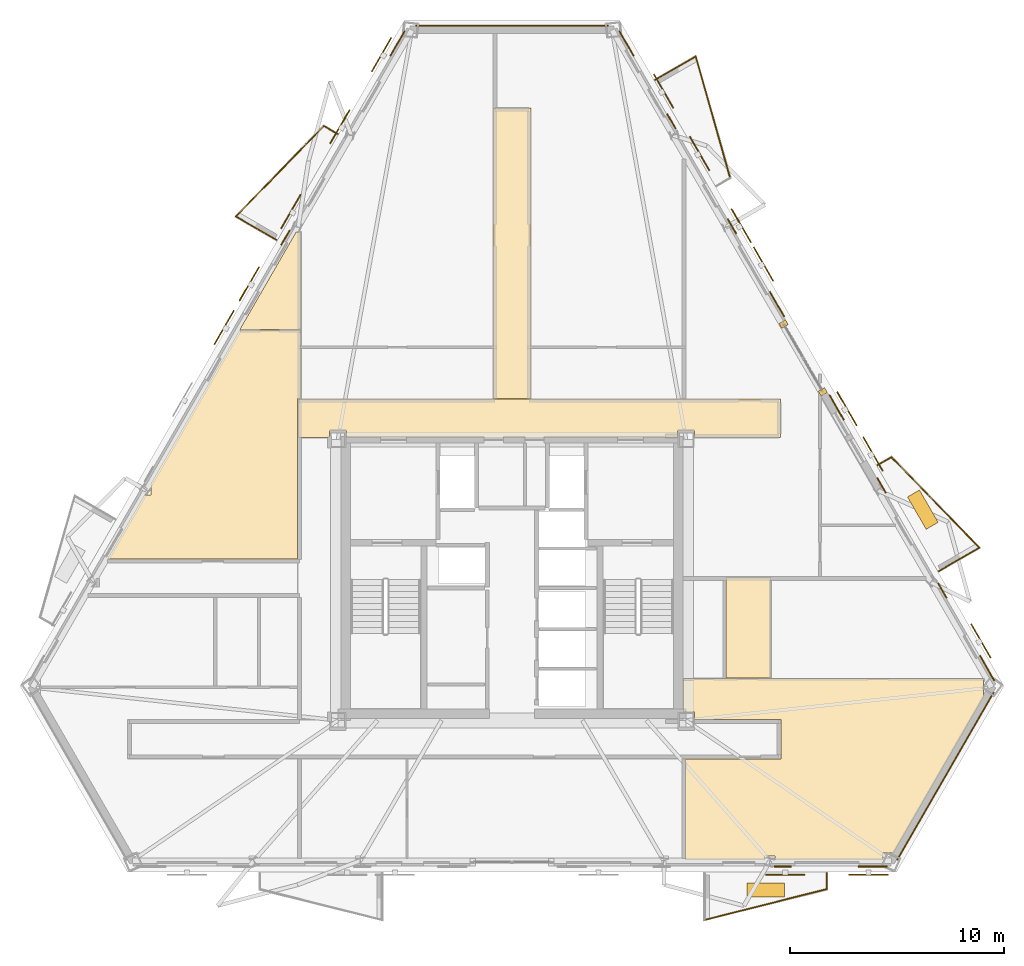
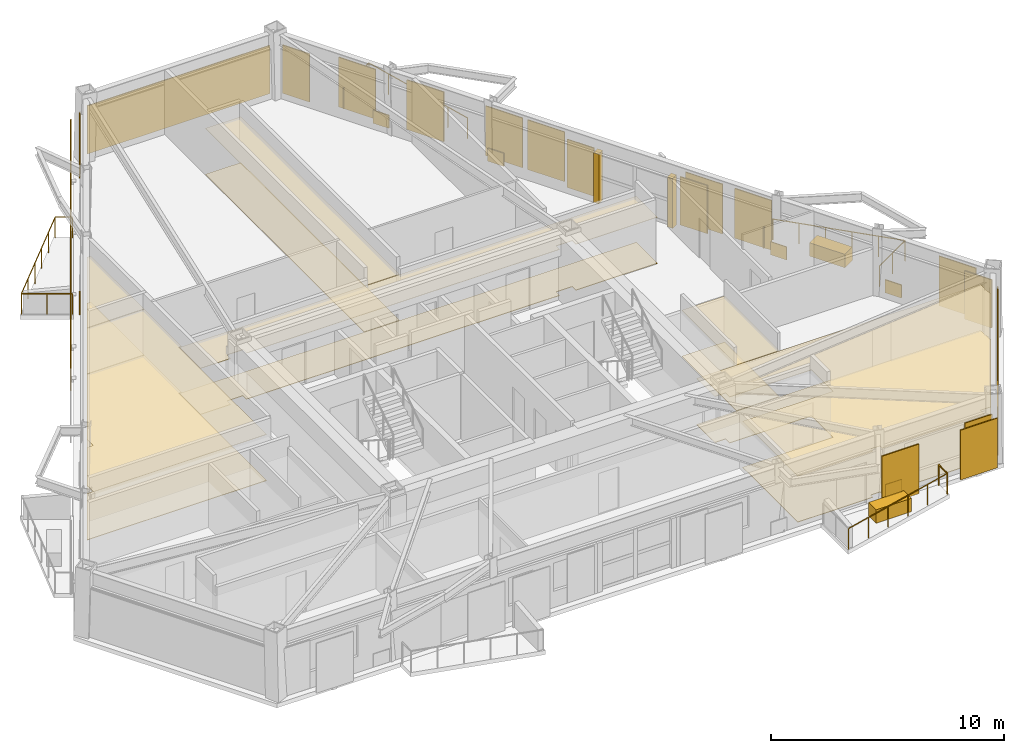
# One storey, part 13 of 14: 30 coverings, 14 shading devices, 10 railings.
"""IFC4 building model written with IfcOpenShell, lengths in metres."""

from ifc_helpers import new_model, si_unit, direction, frame, origin, origin_2d, place, context, subcontext, project, spatial, polyline, rectangle, circle, outline, extrude, material, layer, layer_set, type_object, element, save


model = new_model("IFC4")

# Units and contexts
model_context = context("Model", 3, precision=1e-05, world=origin(), true_north=direction((0.0, 1.0)))
body_context = subcontext(model_context, "Body", "Model", "MODEL_VIEW")
ifc_project = project(units=[si_unit("LENGTHUNIT", "METRE"), si_unit("AREAUNIT", "SQUARE_METRE"), si_unit("VOLUMEUNIT", "CUBIC_METRE"), si_unit("PLANEANGLEUNIT", "RADIAN"), si_unit("MASSUNIT", "GRAM", prefix="KILO")], contexts=[model_context])

# Site, building, storey
site_placement = place(None, origin())
site = spatial("IfcSite", under=ifc_project, at=site_placement, CompositionType="ELEMENT")
building_placement = place(site_placement, origin())
building = spatial("IfcBuilding", under=site, at=building_placement, Name="Oramaril Tower", CompositionType="ELEMENT")
storey_placement = place(building_placement, frame((0.0, 0.0, 149.39990234375)))
storey = spatial("IfcBuildingStorey", under=building, at=storey_placement, Name="L39", CompositionType="ELEMENT", Elevation=149.39990234375)

# Coverings
ifc_material_1 = material(Name="Mineral Fibre Acoustic Ceiling")
ifc_layer_1 = layer(ifc_material_1, 0.02001953125)
ifc_layer_set_1 = layer_set([ifc_layer_1], Name="CVT-CEIL")
covering_type_1 = type_object("IfcCoveringType", Name="CVT-CEIL", PredefinedType="CEILING", material=ifc_layer_set_1)
covering_1_placement = place(storey_placement, frame((0.0, 0.0, 2.412109375)))
element("IfcCovering", 1, at=covering_1_placement, inside=storey, type_object=covering_type_1, Name="L39 Acoustic Suspended Ceiling 2", PredefinedType="CEILING", context=body_context, shape_type="SweptSolid", body=[
    extrude(outline(polyline([(50.080078125, 24.239990234375), (46.044921875, 24.239990234375), (46.044921875, 24.544921875), (45.2548828125, 24.544921875), (45.2548828125, 24.25), (29.7451171875, 24.25), (29.7451171875, 24.544921875), (28.955078125, 24.544921875), (28.955078125, 24.239990234375), (27.469970703125, 24.239990234375), (27.469970703125, 26.050048828125), (50.080078125, 26.050048828125), (50.080078125, 24.239990234375)])), origin(), (0.0, 0.0, 1.0), 0.02001953125),
])
covering_2_placement = place(storey_placement, frame((0.0, 0.0, 2.412109375)))
element("IfcCovering", 2, at=covering_2_placement, inside=storey, type_object=covering_type_1, Name="L39 Acoustic Suspended Ceiling 4", PredefinedType="CEILING", context=body_context, shape_type="SweptSolid", body=[
    extrude(outline(polyline([(38.3798828125, 26.070068359375), (36.6201171875, 26.070068359375), (36.6201171875, 39.679931640625), (38.3798828125, 39.679931640625), (38.3798828125, 26.070068359375)])), origin(), (0.0, 0.0, 1.0), 0.02001953125),
])
covering_3_placement = place(storey_placement, frame((0.0, 0.0, 2.412109375)))
element("IfcCovering", 3, at=covering_3_placement, inside=storey, type_object=covering_type_1, Name="L39 Acoustic Suspended Ceiling 12", PredefinedType="CEILING", context=body_context, shape_type="SweptSolid", body=[
    extrude(outline(polyline([(27.592041015625, 26.070068359375), (27.469970703125, 26.070068359375), (27.468017578125, 26.06982421875), (27.466064453125, 26.069580078125), (27.464111328125, 26.069091796875), (27.46240234375, 26.068603515625), (27.460693359375, 26.067626953125), (27.458984375, 26.066650390625), (27.457275390625, 26.0654296875), (27.455810546875, 26.064208984375), (27.45458984375, 26.062744140625), (27.453369140625, 26.06103515625), (27.452392578125, 26.059326171875), (27.451416015625, 26.0576171875), (27.450927734375, 26.055908203125), (27.450439453125, 26.053955078125), (27.4501953125, 26.052001953125), (27.449951171875, 26.050048828125), (27.449951171875, 24.239990234375), (27.4501953125, 24.238037109375), (27.450439453125, 24.236083984375), (27.450927734375, 24.234130859375), (27.451416015625, 24.232421875), (27.452392578125, 24.230712890625), (27.45263671875, 24.22998046875), (27.452392578125, 24.2294921875), (27.451416015625, 24.227783203125), (27.450927734375, 24.225830078125), (27.450439453125, 24.223876953125), (27.4501953125, 24.221923828125), (27.449951171875, 24.219970703125), (27.449951171875, 18.550048828125), (18.551025390625, 18.550048828125), (20.28759765625, 21.557861328125), (20.598388671875, 21.557861328125), (20.598388671875, 22.047119140625), (20.5703125, 22.047119140625), (24.744873046875, 29.27783203125), (27.592041015625, 29.27783203125), (27.592041015625, 26.070068359375)])), origin(), (0.0, 0.0, 1.0), 0.02001953125),
])
covering_4_placement = place(storey_placement, frame((0.0, 0.0, 2.412109375)))
element("IfcCovering", 4, at=covering_4_placement, inside=storey, type_object=covering_type_1, Name="L39 Acoustic Suspended Ceiling 13", PredefinedType="CEILING", context=body_context, shape_type="SweptSolid", body=[
    extrude(outline(polyline([(27.3955078125, 33.869140625), (27.592041015625, 33.869140625), (27.592041015625, 29.2978515625), (24.75634765625, 29.2978515625), (27.3955078125, 33.869140625)])), origin(), (0.0, 0.0, 1.0), 0.02001953125),
])
covering_5_placement = place(storey_placement, frame((0.0, 0.0, 2.412109375)))
element("IfcCovering", 5, at=covering_5_placement, inside=storey, type_object=covering_type_1, Name="L39 Acoustic Suspended Ceiling 14", PredefinedType="CEILING", context=body_context, shape_type="SweptSolid", body=[
    extrude(outline(polyline([(46.044921875, 11.39501953125), (45.51806640625, 11.39501953125), (45.51806640625, 12.96044921875), (59.58203125, 12.96044921875), (59.58203125, 12.173828125), (59.62451171875, 12.173828125), (55.36962890625, 4.80419921875), (54.865966796875, 4.80419921875), (54.865966796875, 4.46484375), (49.802978515625, 4.46484375), (49.802978515625, 4.653564453125), (49.341064453125, 4.653564453125), (49.341064453125, 4.46484375), (45.6220703125, 4.46484375), (45.6220703125, 9.199951171875), (50.080078125, 9.199951171875), (50.08203125, 9.2001953125), (50.083984375, 9.200439453125), (50.085693359375, 9.200927734375), (50.087646484375, 9.201416015625), (50.08935546875, 9.202392578125), (50.091064453125, 9.203369140625), (50.0927734375, 9.20458984375), (50.093994140625, 9.205810546875), (50.095458984375, 9.207275390625), (50.0966796875, 9.208984375), (50.09765625, 9.210693359375), (50.098388671875, 9.21240234375), (50.09912109375, 9.214111328125), (50.099609375, 9.216064453125), (50.099853515625, 9.218017578125), (50.10009765625, 9.219970703125), (50.10009765625, 11.030029296875), (50.099853515625, 11.031982421875), (50.099609375, 11.033935546875), (50.09912109375, 11.035888671875), (50.098388671875, 11.03759765625), (50.09765625, 11.039306640625), (50.0966796875, 11.041015625), (50.095458984375, 11.042724609375), (50.093994140625, 11.044189453125), (50.0927734375, 11.04541015625), (50.091064453125, 11.046630859375), (50.08935546875, 11.047607421875), (50.087646484375, 11.048583984375), (50.085693359375, 11.049072265625), (50.083984375, 11.049560546875), (50.08203125, 11.0498046875), (50.080078125, 11.050048828125), (46.044921875, 11.050048828125), (46.044921875, 11.39501953125)])), origin(), (0.0, 0.0, 1.0), 0.02001953125),
])
covering_6_placement = place(storey_placement, frame((0.0, 0.0, 2.412109375)))
element("IfcCovering", 6, at=covering_6_placement, inside=storey, type_object=covering_type_1, Name="L39 Acoustic Suspended Ceiling 16", PredefinedType="CEILING", context=body_context, shape_type="SweptSolid", body=[
    extrude(outline(polyline([(49.633056640625, 17.69189453125), (49.633056640625, 12.98046875), (47.511962890625, 12.98046875), (47.511962890625, 17.69189453125), (49.633056640625, 17.69189453125)])), origin(), (0.0, 0.0, 1.0), 0.02001953125),
])
ifc_material_2 = material(Name="Warm Cream Limestone", Category="masonry")
ifc_layer_2 = layer(ifc_material_2, 0.050048828125)
ifc_layer_set_2 = layer_set([ifc_layer_2], Name="CVT-CLD")
covering_type_2 = type_object("IfcCoveringType", Name="CVT-CLD", PredefinedType="CLADDING", material=ifc_layer_set_2)
covering_7_placement = place(storey_placement, frame((54.385986328125, 4.163818359375, 0.0400390625), z_axis=(0.0, 0.0, 1.0), x_axis=(1.0, 0.0, 0.0)))
element("IfcCovering", 7, at=covering_7_placement, inside=storey, type_object=covering_type_2, Name="L39 Warm Cream Limestone Cladding", PredefinedType="CLADDING", context=body_context, shape_type="SweptSolid", body=[
    extrude(rectangle(XDim=1.35009765625, YDim=0.050048828125, at=origin_2d()), origin(), (0.0, 0.0, 1.0), 2.52001953125),
])
covering_8_placement = place(storey_placement, frame((50.1845703125, 4.163818359375, 0.0400390625), z_axis=(0.0, 0.0, 1.0), x_axis=(1.0, 0.0, 0.0)))
element("IfcCovering", 8, at=covering_8_placement, inside=storey, type_object=covering_type_2, Name="L39 Warm Cream Limestone Spandrel Cladding", PredefinedType="CLADDING", context=body_context, shape_type="SweptSolid", body=[
    extrude(rectangle(XDim=0.800048828125, YDim=0.050048828125, at=origin_2d()), origin(), (0.0, 0.0, 1.0), 0.679931640625),
])
covering_9_placement = place(storey_placement, frame((57.7861328125, 8.3876953125, 0.0400390625), z_axis=(0.0, 0.0, 1.0), x_axis=(0.4999984885, 0.866026276448, 0.0)))
element("IfcCovering", 9, at=covering_9_placement, inside=storey, type_object=covering_type_2, Name="L39 Warm Cream Limestone Cladding", PredefinedType="CLADDING", context=body_context, shape_type="SweptSolid", body=[
    extrude(rectangle(XDim=9.031982421875, YDim=0.050048828125, at=origin_2d()), origin(), (0.0, 0.0, 1.0), 2.52001953125),
])
for number, where, z_axis, x_axis, name in (
    (10, (52.049072265625, 26.38671875, 0.0), (0.0, 0.0, 1.0), (-0.5, 0.866025403784, 0.0), "L39 Curtain Wall Limestone Jamb Closure"),
    (11, (50.218994140625, 29.556396484375, 0.0), (0.0, 0.0, 1.0), (-0.5, 0.866025403784, 0.0), "L39 Curtain Wall Limestone Jamb Closure"),
):
    element("IfcCovering", number, at=place(storey_placement, frame(where, z_axis=z_axis, x_axis=x_axis)), inside=storey, type_object=covering_type_2, Name=name, PredefinedType="CLADDING", context=body_context, shape_type="SweptSolid", body=[
        extrude(rectangle(XDim=0.260009765625, YDim=0.340087890625, at=origin_2d()), origin(), (0.0, 0.0, 1.0), 2.60009765625),
    ])
for number, where, z_axis, x_axis, name in (
    (12, (59.744140625, 13.4443359375, 0.0400390625), (0.0, 0.0, 1.0), (-0.5, 0.866025403784, 0.0), "L39 Warm Cream Limestone Cladding"),
    (13, (52.701171875, 25.643310546875, 0.0400390625), (0.0, 0.0, 1.0), (-0.5, 0.866025403784, 0.0), "L39 Warm Cream Limestone Cladding"),
):
    element("IfcCovering", number, at=place(storey_placement, frame(where, z_axis=z_axis, x_axis=x_axis)), inside=storey, type_object=covering_type_2, Name=name, PredefinedType="CLADDING", context=body_context, shape_type="SweptSolid", body=[
        extrude(rectangle(XDim=1.35009765625, YDim=0.050048828125, at=origin_2d()), origin(), (0.0, 0.0, 1.0), 2.52001953125),
    ])
for number, where, z_axis, x_axis, name in (
    (14, (57.643310546875, 17.0830078125, 0.0400390625), (0.0, 0.0, 1.0), (-0.5, 0.866025403784, 0.0), "L39 Warm Cream Limestone Spandrel Cladding"),
    (15, (54.802001953125, 22.004638671875, 0.0400390625), (0.0, 0.0, 1.0), (-0.5, 0.866025403784, 0.0), "L39 Warm Cream Limestone Spandrel Cladding"),
):
    element("IfcCovering", number, at=place(storey_placement, frame(where, z_axis=z_axis, x_axis=x_axis)), inside=storey, type_object=covering_type_2, Name=name, PredefinedType="CLADDING", context=body_context, shape_type="SweptSolid", body=[
        extrude(rectangle(XDim=0.800048828125, YDim=0.050048828125, at=origin_2d()), origin(), (0.0, 0.0, 1.0), 0.679931640625),
    ])
for number, where, z_axis, x_axis, name in (
    (16, (49.901123046875, 30.492919921875, 0.0400390625), (0.0, 0.0, 1.0), (-0.5, 0.866025403784, 0.0), "L39 Warm Cream Limestone Cladding"),
    (17, (42.858154296875, 42.69189453125, 0.0400390625), (0.0, 0.0, 1.0), (-0.5, 0.866025403784, 0.0), "L39 Warm Cream Limestone Cladding"),
):
    element("IfcCovering", number, at=place(storey_placement, frame(where, z_axis=z_axis, x_axis=x_axis)), inside=storey, type_object=covering_type_2, Name=name, PredefinedType="CLADDING", context=body_context, shape_type="SweptSolid", body=[
        extrude(rectangle(XDim=1.35009765625, YDim=0.050048828125, at=origin_2d()), origin(), (0.0, 0.0, 1.0), 2.52001953125),
    ])
for number, where, z_axis, x_axis, name in (
    (18, (47.80029296875, 34.131591796875, 0.0400390625), (0.0, 0.0, 1.0), (-0.5, 0.866025403784, 0.0), "L39 Warm Cream Limestone Spandrel Cladding"),
    (19, (44.958984375, 39.05322265625, 0.0400390625), (0.0, 0.0, 1.0), (-0.5, 0.866025403784, 0.0), "L39 Warm Cream Limestone Spandrel Cladding"),
):
    element("IfcCovering", number, at=place(storey_placement, frame(where, z_axis=z_axis, x_axis=x_axis)), inside=storey, type_object=covering_type_2, Name=name, PredefinedType="CLADDING", context=body_context, shape_type="SweptSolid", body=[
        extrude(rectangle(XDim=0.800048828125, YDim=0.050048828125, at=origin_2d()), origin(), (0.0, 0.0, 1.0), 0.679931640625),
    ])
covering_10_placement = place(storey_placement, frame((37.5, 43.5244140625, 0.0400390625), z_axis=(0.0, 0.0, 1.0), x_axis=(-1.0, 0.0, 0.0)))
element("IfcCovering", 20, at=covering_10_placement, inside=storey, type_object=covering_type_2, Name="L39 Warm Cream Limestone Cladding", PredefinedType="CLADDING", context=body_context, shape_type="SweptSolid", body=[
    extrude(rectangle(XDim=9.031982421875, YDim=0.050048828125, at=origin_2d()), origin(), (0.0, 0.0, 1.0), 2.52001953125),
])
covering_11_placement = place(storey_placement, frame((32.141845703125, 42.69189453125, 0.0400390625), z_axis=(0.0, 0.0, 1.0), x_axis=(-0.5, -0.866025403784, 0.0)))
element("IfcCovering", 21, at=covering_11_placement, inside=storey, type_object=covering_type_2, Name="L39 Warm Cream Limestone Cladding", PredefinedType="CLADDING", context=body_context, shape_type="SweptSolid", body=[
    extrude(rectangle(XDim=1.35009765625, YDim=0.050048828125, at=origin_2d()), origin(), (0.0, 0.0, 1.0), 2.52001953125),
])
covering_12_placement = place(storey_placement, frame((26.891357421875, 33.59765625, 0.0400390625), z_axis=(0.0, 0.0, 1.0), x_axis=(-0.5, -0.866025403784, 0.0)))
element("IfcCovering", 22, at=covering_12_placement, inside=storey, type_object=covering_type_2, Name="L39 Warm Cream Limestone Spandrel Cladding", PredefinedType="CLADDING", context=body_context, shape_type="SweptSolid", body=[
    extrude(rectangle(XDim=0.800048828125, YDim=0.050048828125, at=origin_2d()), origin(), (0.0, 0.0, 1.0), 0.679931640625),
])
for number, where, z_axis, x_axis, name in (
    (23, (49.376708984375, 3.060302734375, 0.0), (0.0, 0.0, 1.0), (1.0, 0.0, 0.0), "L39 Structural Tree Planter Box L39-BAL-S2"),
    (24, (56.732666015625, 20.86767578125, 0.0), (0.0, 0.0, 1.0), (-0.500001511499, 0.866024531118, 0.0), "L39 Structural Tree Planter Box L39-BAL-NE1"),
):
    element("IfcCovering", number, at=place(storey_placement, frame(where, z_axis=z_axis, x_axis=x_axis)), inside=storey, type_object=covering_type_2, Name=name, PredefinedType="CLADDING", context=body_context, shape_type="SweptSolid", body=[
        extrude(rectangle(XDim=1.75, YDim=0.64990234375, at=origin_2d()), origin(), (0.0, 0.0, 1.0), 0.699951171875),
    ])
ifc_material_3 = material(Name="Honed Quartzite Stone Flooring", Category="masonry")
ifc_layer_3 = layer(ifc_material_3, 0.02490234375)
ifc_layer_set_3 = layer_set([ifc_layer_3], Name="CVT-FLR")
covering_type_3 = type_object("IfcCoveringType", Name="CVT-FLR", PredefinedType="FLOORING", material=ifc_layer_set_3)
covering_13_placement = place(storey_placement, origin())
element("IfcCovering", 25, at=covering_13_placement, inside=storey, type_object=covering_type_3, Name="L39 Honed Stone Floor Finish 2", PredefinedType="FLOORING", context=body_context, shape_type="SweptSolid", body=[
    extrude(outline(polyline([(50.080078125, 24.239990234375), (46.044921875, 24.239990234375), (46.044921875, 24.544921875), (45.2548828125, 24.544921875), (45.2548828125, 24.25), (29.7451171875, 24.25), (29.7451171875, 24.544921875), (28.955078125, 24.544921875), (28.955078125, 24.239990234375), (27.469970703125, 24.239990234375), (27.469970703125, 26.050048828125), (50.080078125, 26.050048828125), (50.080078125, 24.239990234375)])), origin(), (0.0, 0.0, 1.0), 0.025146484375),
])
covering_14_placement = place(storey_placement, origin())
element("IfcCovering", 26, at=covering_14_placement, inside=storey, type_object=covering_type_3, Name="L39 Honed Stone Floor Finish 4", PredefinedType="FLOORING", context=body_context, shape_type="SweptSolid", body=[
    extrude(outline(polyline([(38.3798828125, 26.070068359375), (36.6201171875, 26.070068359375), (36.6201171875, 39.679931640625), (38.3798828125, 39.679931640625), (38.3798828125, 26.070068359375)])), origin(), (0.0, 0.0, 1.0), 0.025146484375),
])
covering_15_placement = place(storey_placement, origin())
element("IfcCovering", 27, at=covering_15_placement, inside=storey, type_object=covering_type_3, Name="L39 Honed Stone Floor Finish 12", PredefinedType="FLOORING", context=body_context, shape_type="SweptSolid", body=[
    extrude(outline(polyline([(27.592041015625, 26.070068359375), (27.469970703125, 26.070068359375), (27.468017578125, 26.06982421875), (27.466064453125, 26.069580078125), (27.464111328125, 26.069091796875), (27.46240234375, 26.068603515625), (27.460693359375, 26.067626953125), (27.458984375, 26.066650390625), (27.457275390625, 26.0654296875), (27.455810546875, 26.064208984375), (27.45458984375, 26.062744140625), (27.453369140625, 26.06103515625), (27.452392578125, 26.059326171875), (27.451416015625, 26.0576171875), (27.450927734375, 26.055908203125), (27.450439453125, 26.053955078125), (27.4501953125, 26.052001953125), (27.449951171875, 26.050048828125), (27.449951171875, 24.239990234375), (27.4501953125, 24.238037109375), (27.450439453125, 24.236083984375), (27.450927734375, 24.234130859375), (27.451416015625, 24.232421875), (27.452392578125, 24.230712890625), (27.45263671875, 24.22998046875), (27.452392578125, 24.2294921875), (27.451416015625, 24.227783203125), (27.450927734375, 24.225830078125), (27.450439453125, 24.223876953125), (27.4501953125, 24.221923828125), (27.449951171875, 24.219970703125), (27.449951171875, 18.550048828125), (18.551025390625, 18.550048828125), (20.28759765625, 21.557861328125), (20.598388671875, 21.557861328125), (20.598388671875, 22.047119140625), (20.5703125, 22.047119140625), (24.744873046875, 29.27783203125), (27.592041015625, 29.27783203125), (27.592041015625, 26.070068359375)])), origin(), (0.0, 0.0, 1.0), 0.025146484375),
])
covering_16_placement = place(storey_placement, origin())
element("IfcCovering", 28, at=covering_16_placement, inside=storey, type_object=covering_type_3, Name="L39 Honed Stone Floor Finish 13", PredefinedType="FLOORING", context=body_context, shape_type="SweptSolid", body=[
    extrude(outline(polyline([(27.3955078125, 33.869140625), (27.592041015625, 33.869140625), (27.592041015625, 29.2978515625), (24.75634765625, 29.2978515625), (27.3955078125, 33.869140625)])), origin(), (0.0, 0.0, 1.0), 0.025146484375),
])
covering_17_placement = place(storey_placement, origin())
element("IfcCovering", 29, at=covering_17_placement, inside=storey, type_object=covering_type_3, Name="L39 Honed Stone Floor Finish 14", PredefinedType="FLOORING", context=body_context, shape_type="SweptSolid", body=[
    extrude(outline(polyline([(46.044921875, 11.39501953125), (45.51806640625, 11.39501953125), (45.51806640625, 12.96044921875), (59.58203125, 12.96044921875), (59.58203125, 12.173828125), (59.62451171875, 12.173828125), (55.36962890625, 4.80419921875), (54.865966796875, 4.80419921875), (54.865966796875, 4.46484375), (49.802978515625, 4.46484375), (49.802978515625, 4.653564453125), (49.341064453125, 4.653564453125), (49.341064453125, 4.46484375), (45.6220703125, 4.46484375), (45.6220703125, 9.199951171875), (50.080078125, 9.199951171875), (50.08203125, 9.2001953125), (50.083984375, 9.200439453125), (50.085693359375, 9.200927734375), (50.087646484375, 9.201416015625), (50.08935546875, 9.202392578125), (50.091064453125, 9.203369140625), (50.0927734375, 9.20458984375), (50.093994140625, 9.205810546875), (50.095458984375, 9.207275390625), (50.0966796875, 9.208984375), (50.09765625, 9.210693359375), (50.098388671875, 9.21240234375), (50.09912109375, 9.214111328125), (50.099609375, 9.216064453125), (50.099853515625, 9.218017578125), (50.10009765625, 9.219970703125), (50.10009765625, 11.030029296875), (50.099853515625, 11.031982421875), (50.099609375, 11.033935546875), (50.09912109375, 11.035888671875), (50.098388671875, 11.03759765625), (50.09765625, 11.039306640625), (50.0966796875, 11.041015625), (50.095458984375, 11.042724609375), (50.093994140625, 11.044189453125), (50.0927734375, 11.04541015625), (50.091064453125, 11.046630859375), (50.08935546875, 11.047607421875), (50.087646484375, 11.048583984375), (50.085693359375, 11.049072265625), (50.083984375, 11.049560546875), (50.08203125, 11.0498046875), (50.080078125, 11.050048828125), (46.044921875, 11.050048828125), (46.044921875, 11.39501953125)])), origin(), (0.0, 0.0, 1.0), 0.025146484375),
])
covering_18_placement = place(storey_placement, origin())
element("IfcCovering", 30, at=covering_18_placement, inside=storey, type_object=covering_type_3, Name="L39 Honed Stone Floor Finish 16", PredefinedType="FLOORING", context=body_context, shape_type="SweptSolid", body=[
    extrude(outline(polyline([(49.633056640625, 17.69189453125), (49.633056640625, 12.98046875), (47.511962890625, 12.98046875), (47.511962890625, 17.69189453125), (49.633056640625, 17.69189453125)])), origin(), (0.0, 0.0, 1.0), 0.025146484375),
])

# Railings
ifc_material_4 = material(Name="Stainless Steel 316L", Category="steel")
railing_type = type_object("IfcRailingType", Name="RLT-GRD", PredefinedType="GUARDRAIL", material=ifc_material_4)
railing_1_placement = place(storey_placement, frame((52.24169921875, 3.848876953125, 0.0)))
element("IfcRailing", 31, at=railing_1_placement, inside=storey, type_object=railing_type, Name="L39 Balcony Guardrail L39-BAL-S2.1", PredefinedType="GUARDRAIL", context=body_context, shape_type="SweptSolid", body=[
    extrude(circle(Radius=0.02392578125, at=origin_2d()), frame((0.0, 0.0, 1.076171875), z_axis=(0.0, -1.0, 0.0), x_axis=(1.0, 0.0, 0.0)), (0.0, 0.0, 1.0), 0.7421875),
    extrude(circle(Radius=0.02099609375, at=origin_2d()), origin(), (0.0, 0.0, 1.0), 1.052001953125),
    extrude(circle(Radius=0.02099609375, at=origin_2d()), frame((0.0, -0.7421875, 0.0)), (0.0, 0.0, 1.0), 1.052001953125),
])
railing_2_placement = place(storey_placement, frame((52.24169921875, 3.106689453125, 0.0)))
element("IfcRailing", 32, at=railing_2_placement, inside=storey, type_object=railing_type, Name="L39 Balcony Guardrail L39-BAL-S2.2", PredefinedType="GUARDRAIL", context=body_context, shape_type="SweptSolid", body=[
    extrude(circle(Radius=0.02392578125, at=origin_2d()), frame((0.0, 0.0, 1.076171875), z_axis=(-0.969443611257, -0.245314256807, 0.0), x_axis=(0.245314256807, -0.969443611257, 0.0)), (0.0, 0.0, 1.0), 5.91064453125),
    extrude(circle(Radius=0.02099609375, at=origin_2d()), origin(), (0.0, 0.0, 1.0), 1.052001953125),
    extrude(circle(Radius=0.02099609375, at=origin_2d()), frame((-1.14599609375, -0.2900390625, 0.0)), (0.0, 0.0, 1.0), 1.052001953125),
    extrude(circle(Radius=0.02099609375, at=origin_2d()), frame((-2.2919921875, -0.580078125, 0.0)), (0.0, 0.0, 1.0), 1.052001953125),
    extrude(circle(Radius=0.02099609375, at=origin_2d()), frame((-3.43798828125, -0.869873046875, 0.0)), (0.0, 0.0, 1.0), 1.052001953125),
    extrude(circle(Radius=0.02099609375, at=origin_2d()), frame((-4.583984375, -1.159912109375, 0.0)), (0.0, 0.0, 1.0), 1.052001953125),
    extrude(circle(Radius=0.02099609375, at=origin_2d()), frame((-5.72998046875, -1.449951171875, 0.0)), (0.0, 0.0, 1.0), 1.052001953125),
])
railing_3_placement = place(storey_placement, frame((54.6171875, 22.954345703125, 0.0)))
element("IfcRailing", 33, at=railing_3_placement, inside=storey, type_object=railing_type, Name="L39 Balcony Guardrail L39-BAL-NE1.1", PredefinedType="GUARDRAIL", context=body_context, shape_type="SweptSolid", body=[
    extrude(circle(Radius=0.02392578125, at=origin_2d()), frame((0.0, 0.0, 1.076171875), z_axis=(0.865966403178, 0.500102178127, 0.0), x_axis=(-0.500102178127, 0.865966403178, 0.0)), (0.0, 0.0, 1.0), 0.741943359375),
    extrude(circle(Radius=0.02099609375, at=origin_2d()), origin(), (0.0, 0.0, 1.0), 1.052001953125),
    extrude(circle(Radius=0.02099609375, at=origin_2d()), frame((0.642578125, 0.37109375, 0.0)), (0.0, 0.0, 1.0), 1.052001953125),
])
railing_4_placement = place(storey_placement, frame((55.259765625, 23.325439453125, 0.0)))
element("IfcRailing", 34, at=railing_4_placement, inside=storey, type_object=railing_type, Name="L39 Balcony Guardrail L39-BAL-NE1.2", PredefinedType="GUARDRAIL", context=body_context, shape_type="SweptSolid", body=[
    extrude(circle(Radius=0.02392578125, at=origin_2d()), frame((0.0, 0.0, 1.076171875), z_axis=(0.697186915353, -0.716889395277, 0.0), x_axis=(0.716889395277, 0.697186915353, 0.0)), (0.0, 0.0, 1.0), 5.91064453125),
    extrude(circle(Radius=0.02099609375, at=origin_2d()), origin(), (0.0, 0.0, 1.0), 1.052001953125),
    extrude(circle(Radius=0.02099609375, at=origin_2d()), frame((0.82421875, -0.847412109375, 0.0)), (0.0, 0.0, 1.0), 1.052001953125),
    extrude(circle(Radius=0.02099609375, at=origin_2d()), frame((1.6484375, -1.69482421875, 0.0)), (0.0, 0.0, 1.0), 1.052001953125),
    extrude(circle(Radius=0.02099609375, at=origin_2d()), frame((2.472412109375, -2.54248046875, 0.0)), (0.0, 0.0, 1.0), 1.052001953125),
    extrude(circle(Radius=0.02099609375, at=origin_2d()), frame((3.296630859375, -3.389892578125, 0.0)), (0.0, 0.0, 1.0), 1.052001953125),
    extrude(circle(Radius=0.02099609375, at=origin_2d()), frame((4.120849609375, -4.2373046875, 0.0)), (0.0, 0.0, 1.0), 1.052001953125),
])
railing_5_placement = place(storey_placement, frame((59.380615234375, 19.088134765625, 0.0)))
element("IfcRailing", 35, at=railing_5_placement, inside=storey, type_object=railing_type, Name="L39 Balcony Guardrail L39-BAL-NE1.3", PredefinedType="GUARDRAIL", context=body_context, shape_type="SweptSolid", body=[
    extrude(circle(Radius=0.02392578125, at=origin_2d()), frame((0.0, 0.0, 1.076171875), z_axis=(-0.866020500697, -0.5000084923, 0.0), x_axis=(0.5000084923, -0.866020500697, 0.0)), (0.0, 0.0, 1.0), 2.19189453125),
    extrude(circle(Radius=0.02099609375, at=origin_2d()), origin(), (0.0, 0.0, 1.0), 1.052001953125),
    extrude(circle(Radius=0.02099609375, at=origin_2d()), frame((-0.94921875, -0.5478515625, 0.0)), (0.0, 0.0, 1.0), 1.052001953125),
    extrude(circle(Radius=0.02099609375, at=origin_2d()), frame((-1.898193359375, -1.095947265625, 0.0)), (0.0, 0.0, 1.0), 1.052001953125),
])
railing_6_placement = place(storey_placement, frame((44.203125, 40.9921875, 0.0)))
element("IfcRailing", 36, at=railing_6_placement, inside=storey, type_object=railing_type, Name="L39 Balcony Guardrail L39-BAL-NE2.1", PredefinedType="GUARDRAIL", context=body_context, shape_type="SweptSolid", body=[
    extrude(circle(Radius=0.02392578125, at=origin_2d()), frame((0.0, 0.0, 1.076171875), z_axis=(0.866048343933, 0.499960264392, 0.0), x_axis=(-0.499960264392, 0.866048343933, 0.0)), (0.0, 0.0, 1.0), 2.192138671875),
    extrude(circle(Radius=0.02099609375, at=origin_2d()), origin(), (0.0, 0.0, 1.0), 1.052001953125),
    extrude(circle(Radius=0.02099609375, at=origin_2d()), frame((0.94921875, 0.5478515625, 0.0)), (0.0, 0.0, 1.0), 1.052001953125),
    extrude(circle(Radius=0.02099609375, at=origin_2d()), frame((1.8984375, 1.095947265625, 0.0)), (0.0, 0.0, 1.0), 1.052001953125),
])
railing_7_placement = place(storey_placement, frame((46.1015625, 42.088134765625, 0.0)))
element("IfcRailing", 37, at=railing_7_placement, inside=storey, type_object=railing_type, Name="L39 Balcony Guardrail L39-BAL-NE2.2", PredefinedType="GUARDRAIL", context=body_context, shape_type="SweptSolid", body=[
    extrude(circle(Radius=0.02392578125, at=origin_2d()), frame((0.0, 0.0, 1.076171875), z_axis=(0.27224886544, -0.962226873074, 0.0), x_axis=(0.962226873074, 0.27224886544, 0.0)), (0.0, 0.0, 1.0), 5.910400390625),
    extrude(circle(Radius=0.02099609375, at=origin_2d()), origin(), (0.0, 0.0, 1.0), 1.052001953125),
    extrude(circle(Radius=0.02099609375, at=origin_2d()), frame((0.32177734375, -1.137451171875, 0.0)), (0.0, 0.0, 1.0), 1.052001953125),
    extrude(circle(Radius=0.02099609375, at=origin_2d()), frame((0.6435546875, -2.27490234375, 0.0)), (0.0, 0.0, 1.0), 1.052001953125),
    extrude(circle(Radius=0.02099609375, at=origin_2d()), frame((0.965576171875, -3.412353515625, 0.0)), (0.0, 0.0, 1.0), 1.052001953125),
    extrude(circle(Radius=0.02099609375, at=origin_2d()), frame((1.287353515625, -4.5498046875, 0.0)), (0.0, 0.0, 1.0), 1.052001953125),
    extrude(circle(Radius=0.02099609375, at=origin_2d()), frame((1.609130859375, -5.687255859375, 0.0)), (0.0, 0.0, 1.0), 1.052001953125),
])
railing_8_placement = place(storey_placement, frame((26.46923828125, 33.496826171875, 0.0)))
element("IfcRailing", 38, at=railing_8_placement, inside=storey, type_object=railing_type, Name="L39 Balcony Guardrail L39-BAL-NW1.1", PredefinedType="GUARDRAIL", context=body_context, shape_type="SweptSolid", body=[
    extrude(circle(Radius=0.02392578125, at=origin_2d()), frame((0.0, 0.0, 1.076171875), z_axis=(-0.866020500697, 0.5000084923, 0.0), x_axis=(-0.5000084923, -0.866020500697, 0.0)), (0.0, 0.0, 1.0), 2.19189453125),
    extrude(circle(Radius=0.02099609375, at=origin_2d()), origin(), (0.0, 0.0, 1.0), 1.052001953125),
    extrude(circle(Radius=0.02099609375, at=origin_2d()), frame((-0.94921875, 0.5478515625, 0.0)), (0.0, 0.0, 1.0), 1.052001953125),
    extrude(circle(Radius=0.02099609375, at=origin_2d()), frame((-1.898193359375, 1.095947265625, 0.0)), (0.0, 0.0, 1.0), 1.052001953125),
])
railing_9_placement = place(storey_placement, frame((24.571044921875, 34.5927734375, 0.0)))
element("IfcRailing", 39, at=railing_9_placement, inside=storey, type_object=railing_type, Name="L39 Balcony Guardrail L39-BAL-NW1.2", PredefinedType="GUARDRAIL", context=body_context, shape_type="SweptSolid", body=[
    extrude(circle(Radius=0.02392578125, at=origin_2d()), frame((0.0, 0.0, 1.076171875), z_axis=(0.697186915353, 0.716889395277, 0.0), x_axis=(-0.716889395277, 0.697186915353, 0.0)), (0.0, 0.0, 1.0), 5.91064453125),
    extrude(circle(Radius=0.02099609375, at=origin_2d()), origin(), (0.0, 0.0, 1.0), 1.052001953125),
    extrude(circle(Radius=0.02099609375, at=origin_2d()), frame((0.82421875, 0.847412109375, 0.0)), (0.0, 0.0, 1.0), 1.052001953125),
    extrude(circle(Radius=0.02099609375, at=origin_2d()), frame((1.6484375, 1.69482421875, 0.0)), (0.0, 0.0, 1.0), 1.052001953125),
    extrude(circle(Radius=0.02099609375, at=origin_2d()), frame((2.472412109375, 2.54248046875, 0.0)), (0.0, 0.0, 1.0), 1.052001953125),
    extrude(circle(Radius=0.02099609375, at=origin_2d()), frame((3.296630859375, 3.389892578125, 0.0)), (0.0, 0.0, 1.0), 1.052001953125),
    extrude(circle(Radius=0.02099609375, at=origin_2d()), frame((4.120849609375, 4.2373046875, 0.0)), (0.0, 0.0, 1.0), 1.052001953125),
])
railing_10_placement = place(storey_placement, frame((28.69189453125, 38.830078125, 0.0)))
element("IfcRailing", 40, at=railing_10_placement, inside=storey, type_object=railing_type, Name="L39 Balcony Guardrail L39-BAL-NW1.3", PredefinedType="GUARDRAIL", context=body_context, shape_type="SweptSolid", body=[
    extrude(circle(Radius=0.02392578125, at=origin_2d()), frame((0.0, 0.0, 1.076171875), z_axis=(0.865884080729, -0.500244698863, 0.0), x_axis=(0.500244698863, 0.865884080729, 0.0)), (0.0, 0.0, 1.0), 0.741943359375),
    extrude(circle(Radius=0.02099609375, at=origin_2d()), origin(), (0.0, 0.0, 1.0), 1.052001953125),
    extrude(circle(Radius=0.02099609375, at=origin_2d()), frame((0.642333984375, -0.37109375, 0.0)), (0.0, 0.0, 1.0), 1.052001953125),
])

# Shading devices
for number, where, z_axis, x_axis, name in (
    (41, (50.29150390625, 3.77685546875, -0.02001953125), (0.0, 0.0, 1.0), (1.0, 0.0, 0.0), "L39 Perforated Ceramic Solar Screen"),
    (42, (54.19140625, 3.77685546875, -0.02001953125), (0.0, 0.0, 1.0), (1.0, 0.0, 0.0), "L39 Perforated Ceramic Solar Screen"),
    (43, (59.453125, 14.72265625, -0.02001953125), (0.0, 0.0, 1.0), (-0.5, 0.866025403784, 0.0), "L39 Perforated Ceramic Solar Screen"),
    (44, (54.398681640625, 23.477294921875, -0.02001953125), (0.0, 0.0, 1.0), (-0.5, 0.866025403784, 0.0), "L39 Perforated Ceramic Solar Screen"),
    (45, (53.1767578125, 25.59375, -0.02001953125), (0.0, 0.0, 1.0), (-0.5, 0.866025403784, 0.0), "L39 Perforated Ceramic Solar Screen"),
    (46, (49.269287109375, 32.361328125, -0.02001953125), (0.0, 0.0, 1.0), (-0.500001511499, 0.866024531118, 0.0), "L39 Perforated Ceramic Solar Screen"),
    (47, (48.230712890625, 34.160400390625, -0.02001953125), (0.0, 0.0, 1.0), (-0.500001511499, 0.866024531118, 0.0), "L39 Perforated Ceramic Solar Screen"),
    (48, (46.280517578125, 37.5380859375, -0.02001953125), (0.0, 0.0, 1.0), (-0.500001511499, 0.866024531118, 0.0), "L39 Perforated Ceramic Solar Screen"),
    (49, (44.593994140625, 40.45947265625, -0.02001953125), (0.0, 0.0, 1.0), (-0.500001511499, 0.866024531118, 0.0), "L39 Perforated Ceramic Solar Screen"),
    (50, (24.023193359375, 29.40380859375, -0.02001953125), (0.0, 0.0, 1.0), (-0.5, -0.866025403784, 0.0), "L39 Perforated Ceramic Solar Screen"),
    (51, (27.150146484375, 34.81982421875, -0.02001953125), (0.0, 0.0, 1.0), (-0.5, -0.866025403784, 0.0), "L39 Perforated Ceramic Solar Screen"),
    (52, (25.2001953125, 31.4423828125, -0.02001953125), (0.0, 0.0, 1.0), (-0.5, -0.866025403784, 0.0), "L39 Perforated Ceramic Solar Screen"),
    (53, (31.395263671875, 42.172607421875, -0.02001953125), (0.0, 0.0, 1.0), (-0.5, -0.866025403784, 0.0), "L39 Perforated Ceramic Solar Screen"),
    (54, (29.4453125, 38.794921875, -0.02001953125), (0.0, 0.0, 1.0), (-0.5, -0.866025403784, 0.0), "L39 Perforated Ceramic Solar Screen"),
):
    element("IfcShadingDevice", number, at=place(storey_placement, frame(where, z_axis=z_axis, x_axis=x_axis)), inside=storey, Name=name, ObjectType="SCREEN", PredefinedType="USERDEFINED", context=body_context, shape_type="SweptSolid", body=[
        extrude(rectangle(XDim=1.8330078125, YDim=0.050048828125, at=origin_2d()), origin(), (0.0, 0.0, 1.0), 2.60009765625),
    ])

save(model, "model.ifc")
